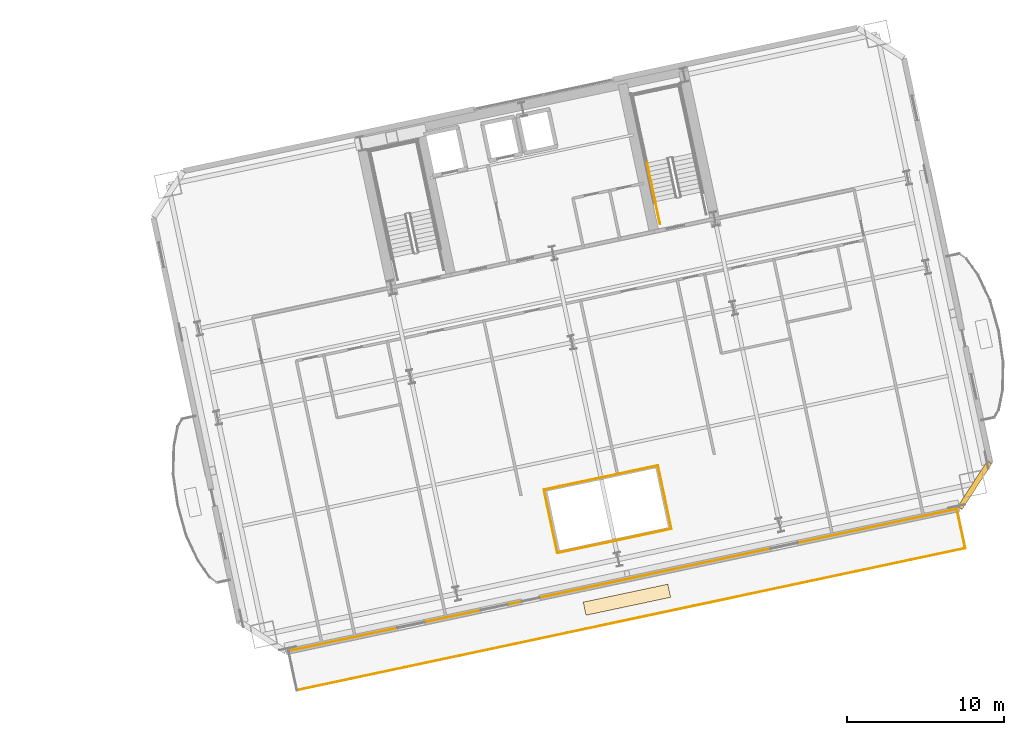
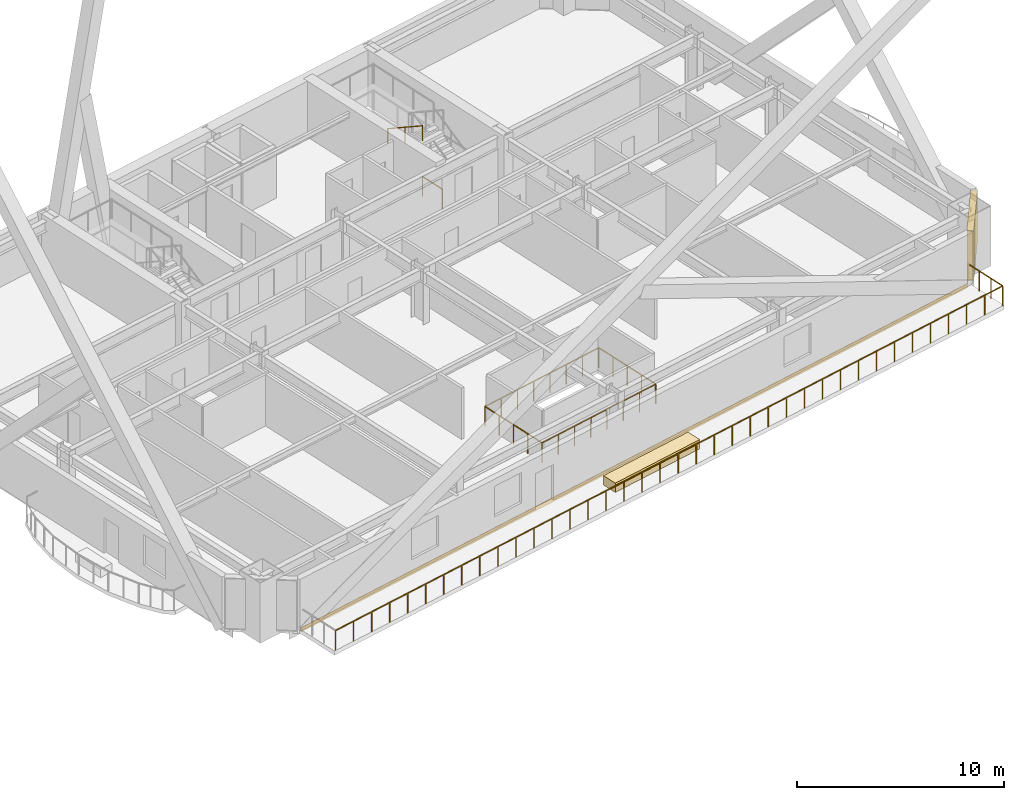
# One storey, part 22 of 25: 8 railings, 2 coverings, 1 shading device.
"""IFC4 building model written with IfcOpenShell, lengths in metres."""

import ifcopenshell
import ifcopenshell.guid

model = None  # the IFC model being written
_history = None  # IfcOwnerHistory: only IFC2X3 demands one
_inside = {}  # id of a spatial element -> (the spatial element, [elements in it])
_under = {}  # id of a project, library or spatial element -> (it, [spatial elements below it])
_declared = {}  # id of a project -> (the project, [libraries it declares])
_typed = {}  # id of a type object -> (the type object, [elements of that type])
_made_of = {}  # id of a material, layer set ... -> (it, [elements and type objects made of it])


def new_model(schema):
    """Start an empty IFC model of exactly this schema.

    Asked for "IFC4X3", IfcOpenShell would pick the latest addendum, in which some entities
    have other attributes; the version numbers below select the first issue.
    IFC2X3 requires an IfcOwnerHistory on every rooted entity: one is made here for all.
    """
    global model, _history
    if schema == "IFC4X3":
        model = ifcopenshell.file(schema_version=(4, 3, 0, 0))
    else:
        model = ifcopenshell.file(schema=schema)
    _inside.clear()
    _under.clear()
    _declared.clear()
    _typed.clear()
    _made_of.clear()
    _history = None
    if model.schema == "IFC2X3":
        org = make("IfcOrganization", Name="unknown")
        user = make(
            "IfcPersonAndOrganization",
            ThePerson=make("IfcPerson", FamilyName="unknown"),
            TheOrganization=org,
        )
        app = make(
            "IfcApplication",
            ApplicationDeveloper=org,
            Version="unknown",
            ApplicationFullName="unknown",
            ApplicationIdentifier="unknown",
        )
        _history = make(
            "IfcOwnerHistory",
            OwningUser=user,
            OwningApplication=app,
            ChangeAction="ADDED",
            CreationDate=0,
        )
    return model


def make(cls, **values):
    """One entity of the class cls with the attributes given. An attribute that is None is left unset."""
    return model.create_entity(
        cls, **{name: value for name, value in values.items() if value is not None}
    )


def rooted(cls, **values):
    """An entity with a GlobalId (a new one), such as an element, a storey or a relation."""
    return make(cls, GlobalId=ifcopenshell.guid.new(), OwnerHistory=_history, **values)


def si_unit(unit_type, name, prefix=None):
    """IfcSIUnit, for example si_unit("LENGTHUNIT", "METRE", prefix="MILLI")."""
    return make("IfcSIUnit", UnitType=unit_type, Prefix=prefix, Name=name)


def assignment(units):
    """IfcUnitAssignment: the units of a project."""
    return None if units is None else make("IfcUnitAssignment", Units=units)


def point(xyz):
    """IfcCartesianPoint."""
    return None if xyz is None else make("IfcCartesianPoint", Coordinates=xyz)


def direction(xyz):
    """IfcDirection."""
    return None if xyz is None else make("IfcDirection", DirectionRatios=xyz)


def frame(location, z_axis=None, x_axis=None):
    """IfcAxis2Placement3D, a coordinate frame: its origin and axes. An axis left out is left unset."""
    return make(
        "IfcAxis2Placement3D",
        Location=point(location),
        Axis=direction(z_axis),
        RefDirection=direction(x_axis),
    )


def frame_2d(location, x_axis=None):
    """IfcAxis2Placement2D, a coordinate frame in the plane: its origin and x axis."""
    return make(
        "IfcAxis2Placement2D", Location=point(location), RefDirection=direction(x_axis)
    )


def origin():
    """The frame at (0, 0, 0) with its axes left unset."""
    return frame((0.0, 0.0, 0.0))


def origin_2d():
    """The frame at (0, 0) in the plane with its x axis left unset."""
    return frame_2d((0.0, 0.0))


def place(relative_to, where):
    """IfcLocalPlacement: puts the frame where relative to a parent placement (None: the world)."""
    return make(
        "IfcLocalPlacement", PlacementRelTo=relative_to, RelativePlacement=where
    )


def context(
    kind, dimensions, precision=None, world=None, true_north=None, identifier=None
):
    """IfcGeometricRepresentationContext, for example the 3D "Model" context."""
    return make(
        "IfcGeometricRepresentationContext",
        ContextIdentifier=identifier,
        ContextType=kind,
        CoordinateSpaceDimension=dimensions,
        Precision=precision,
        WorldCoordinateSystem=world,
        TrueNorth=true_north,
    )


def subcontext(parent, identifier, kind, view, scale=None):
    """IfcGeometricRepresentationSubContext, for example "Body" below "Model"."""
    return make(
        "IfcGeometricRepresentationSubContext",
        ContextIdentifier=identifier,
        ContextType=kind,
        ParentContext=parent,
        TargetScale=scale,
        TargetView=view,
    )


def project(units=None, contexts=None):
    """IfcProject with its units and contexts."""
    return rooted(
        "IfcProject",
        Name="project",
        RepresentationContexts=contexts,
        UnitsInContext=assignment(units),
    )


def spatial(cls, under=None, at=None, **own):
    """A site, building, storey or space (cls), placed at a placement, below another one or the project."""
    s = rooted(cls, ObjectPlacement=at, **own)
    if under is not None:
        _under.setdefault(under.id(), (under, []))[1].append(s)
    return s


def profile(cls, at=None, kind="AREA", **sizes):
    """A parametric profile (cls). Its sizes go by their IFC names, for example OverallWidth=200.0."""
    return make(cls, ProfileType=kind, Position=at, **sizes)


def rectangle(**sizes):
    """IfcRectangleProfileDef."""
    return profile("IfcRectangleProfileDef", **sizes)


def extrude(swept, where, along, depth):
    """IfcExtrudedAreaSolid: the profile swept, set in the frame where, extruded along a direction by depth."""
    return make(
        "IfcExtrudedAreaSolid",
        SweptArea=swept,
        Position=where,
        ExtrudedDirection=direction(along),
        Depth=depth,
    )


def shape(context_of_items, identifier, shape_type, items):
    """IfcShapeRepresentation: the items that make up one representation, for example the "Body"."""
    return make(
        "IfcShapeRepresentation",
        ContextOfItems=context_of_items,
        RepresentationIdentifier=identifier,
        RepresentationType=shape_type,
        Items=items,
    )


def material(Name=None, Category=None):
    """IfcMaterial."""
    return make("IfcMaterial", Name=Name, Category=Category)


def layer(
    of_material, thickness, ventilated=None, Name=None, Category=None, Priority=None
):
    """IfcMaterialLayer: one layer of a wall or slab, of a material (None: an air gap)."""
    return make(
        "IfcMaterialLayer",
        Material=of_material,
        LayerThickness=thickness,
        IsVentilated=ventilated,
        Name=Name,
        Category=Category,
        Priority=Priority,
    )


def layer_set(layers, Name=None):
    """IfcMaterialLayerSet."""
    return make("IfcMaterialLayerSet", MaterialLayers=layers, LayerSetName=Name)


def made_of(thing, what):
    """Note that an element or type object is made of a material, layer set ...; save() writes the relation."""
    if what is not None:
        _made_of.setdefault(what.id(), (what, []))[1].append(thing)
    return thing


def type_object(cls, material=None, **own):
    """A type object (cls), such as IfcWallType, which elements share."""
    return made_of(rooted(cls, **own), material)


def element(
    cls,
    number,
    at=None,
    inside=None,
    cuts=None,
    type_object=None,
    material=None,
    context=None,
    identifier="Body",
    shape_type=None,
    held_by="IfcProductDefinitionShape",
    body=None,
    shapes=None,
    **own,
):
    """One element of the class cls, such as IfcWall. Its Tag is "e" and its number.

    at: its placement. inside: the storey or other place that contains it. cuts: it is an
    opening in that element (IfcRelVoidsElement). A single representation is given by context,
    identifier, shape_type and body (its items); several are given by shapes. held_by: the class
    of the entity that holds the representations. save() writes the other relations.
    """
    e = rooted(cls, Tag="e%d" % number, ObjectPlacement=at, **own)
    if body is not None:
        shapes = [shape(context, identifier, shape_type, body)]
    if shapes is not None:
        e.Representation = make(held_by, Representations=shapes)
    if inside is not None:
        _inside.setdefault(inside.id(), (inside, []))[1].append(e)
    if cuts is not None:
        rooted(
            "IfcRelVoidsElement", RelatingBuildingElement=cuts, RelatedOpeningElement=e
        )
    if type_object is not None:
        _typed.setdefault(type_object.id(), (type_object, []))[1].append(e)
    return made_of(e, material)


def aggregate(whole, parts):
    """IfcRelAggregates: a whole, such as a stair, and the parts it consists of."""
    return rooted("IfcRelAggregates", RelatingObject=whole, RelatedObjects=parts)


def save(model, path):
    """Write the relations noted so far, then the file.

    IfcRelAggregates (storeys below a building ...), IfcRelContainedInSpatialStructure (elements
    in a storey), IfcRelDefinesByType, IfcRelAssociatesMaterial and IfcRelDeclares: one each for
    every whole, place, type object, material and project.
    """
    for whole, parts in _under.values():
        aggregate(whole, parts)
    for where, things in _inside.values():
        rooted(
            "IfcRelContainedInSpatialStructure",
            RelatedElements=things,
            RelatingStructure=where,
        )
    for kind, things in _typed.values():
        rooted("IfcRelDefinesByType", RelatedObjects=things, RelatingType=kind)
    for what, things in _made_of.values():
        rooted("IfcRelAssociatesMaterial", RelatedObjects=things, RelatingMaterial=what)
    for by, libraries in _declared.values():
        rooted("IfcRelDeclares", RelatingContext=by, RelatedDefinitions=libraries)
    model.write(path)


model = new_model("IFC4")

# Units and contexts
model_context = context("Model", 3, precision=1e-05, world=origin(), true_north=direction((0.0, 1.0)))
body_context = subcontext(model_context, "Body", "Model", "MODEL_VIEW")
ifc_project = project(units=[si_unit("LENGTHUNIT", "METRE"), si_unit("AREAUNIT", "SQUARE_METRE"), si_unit("VOLUMEUNIT", "CUBIC_METRE"), si_unit("PLANEANGLEUNIT", "RADIAN"), si_unit("MASSUNIT", "GRAM", prefix="KILO")], contexts=[model_context])

# Site, building, storey
site_placement = place(None, origin())
site = spatial("IfcSite", under=ifc_project, at=site_placement, CompositionType="ELEMENT")
building_placement = place(site_placement, origin())
building = spatial("IfcBuilding", under=site, at=building_placement, Name="Haevon Station Towers", CompositionType="ELEMENT")
storey_placement = place(building_placement, frame((0.0, 0.0, 50.39990234375)))
storey = spatial("IfcBuildingStorey", under=building, at=storey_placement, Name="L12", CompositionType="ELEMENT", Elevation=50.39990234375)

# Railings
ifc_material_1 = material(Name="Steel S355", Category="steel")
railing_type_1 = type_object("IfcRailingType", Name="BAL-ATR1200", PredefinedType="BALUSTRADE", material=ifc_material_1)
railing_1_placement = place(storey_placement, frame((109.28857421875, 20.5556640625, 0.0)))
element("IfcRailing", 1, at=railing_1_placement, inside=storey, type_object=railing_type_1, Name="L12 Atrium Void Balustrade 1", PredefinedType="BALUSTRADE", context=body_context, shape_type="SweptSolid", body=[
    extrude(rectangle(XDim=0.048095703125, YDim=0.048095703125, at=origin_2d()), frame((0.0, 0.0, 1.17578125), z_axis=(0.978143440909, 0.207931260293, 0.0), x_axis=(-0.207931260293, 0.978143440909, 0.0)), (0.0, 0.0, 1.0), 7.409912109375),
    extrude(rectangle(XDim=0.0419921875, YDim=0.0419921875, at=origin_2d()), origin(), (0.0, 0.0, 1.0), 1.15185546875),
    extrude(rectangle(XDim=0.0419921875, YDim=0.0419921875, at=origin_2d()), frame((1.035400390625, 0.22021484375, 0.0)), (0.0, 0.0, 1.0), 1.15185546875),
    extrude(rectangle(XDim=0.0419921875, YDim=0.0419921875, at=origin_2d()), frame((2.07080078125, 0.440185546875, 0.0)), (0.0, 0.0, 1.0), 1.15185546875),
    extrude(rectangle(XDim=0.0419921875, YDim=0.0419921875, at=origin_2d()), frame((3.106201171875, 0.660400390625, 0.0)), (0.0, 0.0, 1.0), 1.15185546875),
    extrude(rectangle(XDim=0.0419921875, YDim=0.0419921875, at=origin_2d()), frame((4.141845703125, 0.88037109375, 0.0)), (0.0, 0.0, 1.0), 1.15185546875),
    extrude(rectangle(XDim=0.0419921875, YDim=0.0419921875, at=origin_2d()), frame((5.17724609375, 1.1005859375, 0.0)), (0.0, 0.0, 1.0), 1.15185546875),
    extrude(rectangle(XDim=0.0419921875, YDim=0.0419921875, at=origin_2d()), frame((6.212646484375, 1.320556640625, 0.0)), (0.0, 0.0, 1.0), 1.15185546875),
    extrude(rectangle(XDim=0.0419921875, YDim=0.0419921875, at=origin_2d()), frame((7.248046875, 1.540771484375, 0.0)), (0.0, 0.0, 1.0), 1.15185546875),
])
railing_2_placement = place(storey_placement, frame((116.53662109375, 22.096435546875, 0.0)))
element("IfcRailing", 2, at=railing_2_placement, inside=storey, type_object=railing_type_1, Name="L12 Atrium Void Balustrade 2", PredefinedType="BALUSTRADE", context=body_context, shape_type="SweptSolid", body=[
    extrude(rectangle(XDim=0.048095703125, YDim=0.048095703125, at=origin_2d()), frame((0.0, 0.0, 1.17578125), z_axis=(-0.207941039024, 0.97814136212, 0.0), x_axis=(-0.97814136212, -0.207941039024, 0.0)), (0.0, 0.0, 1.0), 4.116455078125),
    extrude(rectangle(XDim=0.0419921875, YDim=0.0419921875, at=origin_2d()), origin(), (0.0, 0.0, 1.0), 1.15185546875),
    extrude(rectangle(XDim=0.0419921875, YDim=0.0419921875, at=origin_2d()), frame((-0.2138671875, 1.006591796875, 0.0)), (0.0, 0.0, 1.0), 1.15185546875),
    extrude(rectangle(XDim=0.0419921875, YDim=0.0419921875, at=origin_2d()), frame((-0.427978515625, 2.01318359375, 0.0)), (0.0, 0.0, 1.0), 1.15185546875),
    extrude(rectangle(XDim=0.0419921875, YDim=0.0419921875, at=origin_2d()), frame((-0.64208984375, 3.019775390625, 0.0)), (0.0, 0.0, 1.0), 1.15185546875),
    extrude(rectangle(XDim=0.0419921875, YDim=0.0419921875, at=origin_2d()), frame((-0.85595703125, 4.0263671875, 0.0)), (0.0, 0.0, 1.0), 1.15185546875),
])
railing_3_placement = place(storey_placement, frame((115.6806640625, 26.122802734375, 0.0)))
element("IfcRailing", 3, at=railing_3_placement, inside=storey, type_object=railing_type_1, Name="L12 Atrium Void Balustrade 3", PredefinedType="BALUSTRADE", context=body_context, shape_type="SweptSolid", body=[
    extrude(rectangle(XDim=0.048095703125, YDim=0.048095703125, at=origin_2d()), frame((0.0, 0.0, 1.17578125), z_axis=(-0.978148717371, -0.207906437384, 0.0), x_axis=(0.207906437384, -0.978148717371, 0.0)), (0.0, 0.0, 1.0), 7.40966796875),
    extrude(rectangle(XDim=0.0419921875, YDim=0.0419921875, at=origin_2d()), origin(), (0.0, 0.0, 1.0), 1.15185546875),
    extrude(rectangle(XDim=0.0419921875, YDim=0.0419921875, at=origin_2d()), frame((-1.035400390625, -0.219970703125, 0.0)), (0.0, 0.0, 1.0), 1.15185546875),
    extrude(rectangle(XDim=0.0419921875, YDim=0.0419921875, at=origin_2d()), frame((-2.07080078125, -0.440185546875, 0.0)), (0.0, 0.0, 1.0), 1.15185546875),
    extrude(rectangle(XDim=0.0419921875, YDim=0.0419921875, at=origin_2d()), frame((-3.106201171875, -0.66015625, 0.0)), (0.0, 0.0, 1.0), 1.15185546875),
    extrude(rectangle(XDim=0.0419921875, YDim=0.0419921875, at=origin_2d()), frame((-4.1416015625, -0.88037109375, 0.0)), (0.0, 0.0, 1.0), 1.15185546875),
    extrude(rectangle(XDim=0.0419921875, YDim=0.0419921875, at=origin_2d()), frame((-5.177001953125, -1.100341796875, 0.0)), (0.0, 0.0, 1.0), 1.15185546875),
    extrude(rectangle(XDim=0.0419921875, YDim=0.0419921875, at=origin_2d()), frame((-6.21240234375, -1.320556640625, 0.0)), (0.0, 0.0, 1.0), 1.15185546875),
    extrude(rectangle(XDim=0.0419921875, YDim=0.0419921875, at=origin_2d()), frame((-7.247802734375, -1.54052734375, 0.0)), (0.0, 0.0, 1.0), 1.15185546875),
])
railing_4_placement = place(storey_placement, frame((108.432861328125, 24.582275390625, 0.0)))
element("IfcRailing", 4, at=railing_4_placement, inside=storey, type_object=railing_type_1, Name="L12 Atrium Void Balustrade 4", PredefinedType="BALUSTRADE", context=body_context, shape_type="SweptSolid", body=[
    extrude(rectangle(XDim=0.048095703125, YDim=0.048095703125, at=origin_2d()), frame((0.0, 0.0, 1.17578125), z_axis=(0.207872232727, -0.978155986978, 0.0), x_axis=(0.978155986978, 0.207872232727, 0.0)), (0.0, 0.0, 1.0), 4.116455078125),
    extrude(rectangle(XDim=0.0419921875, YDim=0.0419921875, at=origin_2d()), origin(), (0.0, 0.0, 1.0), 1.15185546875),
    extrude(rectangle(XDim=0.0419921875, YDim=0.0419921875, at=origin_2d()), frame((0.2138671875, -1.006591796875, 0.0)), (0.0, 0.0, 1.0), 1.15185546875),
    extrude(rectangle(XDim=0.0419921875, YDim=0.0419921875, at=origin_2d()), frame((0.427734375, -2.01318359375, 0.0)), (0.0, 0.0, 1.0), 1.15185546875),
    extrude(rectangle(XDim=0.0419921875, YDim=0.0419921875, at=origin_2d()), frame((0.641845703125, -3.02001953125, 0.0)), (0.0, 0.0, 1.0), 1.15185546875),
    extrude(rectangle(XDim=0.0419921875, YDim=0.0419921875, at=origin_2d()), frame((0.855712890625, -4.026611328125, 0.0)), (0.0, 0.0, 1.0), 1.15185546875),
])

# Covering
ifc_material_2 = material(Name="Anodised aluminium 6063-T6", Category="aluminium")
ifc_layer_1 = layer(ifc_material_2, 0.0400390625)
ifc_layer_set_1 = layer_set([ifc_layer_1], Name="Anodised aluminium 6063-T6")
covering_type_1 = type_object("IfcCoveringType", Name="COV-CLAD40", PredefinedType="CLADDING", material=ifc_layer_set_1)
covering_1_placement = place(storey_placement, frame((113.44091796875, 18.83984375, -0.23974609375), z_axis=(0.0, 0.0, 1.0), x_axis=(0.978147600734, 0.207911690818, 0.0)))
element("IfcCovering", 5, at=covering_1_placement, inside=storey, type_object=covering_type_1, Name="Tower 2 L12 Spandrel Fascia Cladding", PredefinedType="CLADDING", context=body_context, shape_type="SweptSolid", body=[
    extrude(rectangle(XDim=43.39990234375, YDim=0.0400390625, at=origin_2d()), origin(), (0.0, 0.0, 1.0), 0.239990234375),
])

# Railings
railing_type_2 = type_object("IfcRailingType", Name="GRD-EXT1200", PredefinedType="GUARDRAIL", material=ifc_material_1)
railing_5_placement = place(storey_placement, frame((92.724609375, 11.834228515625, 0.0)))
element("IfcRailing", 6, at=railing_5_placement, inside=storey, type_object=railing_type_2, Name="L12 Perimeter Guardrail 1", PredefinedType="GUARDRAIL", context=body_context, shape_type="SweptSolid", body=[
    extrude(rectangle(XDim=0.048095703125, YDim=0.048095703125, at=origin_2d()), frame((0.0, 0.0, 1.17578125), z_axis=(0.978147822717, 0.207910646466, 0.0), x_axis=(-0.207910646466, 0.978147822717, 0.0)), (0.0, 0.0, 1.0), 43.4404296875),
    extrude(rectangle(XDim=0.0419921875, YDim=0.0419921875, at=origin_2d()), origin(), (0.0, 0.0, 1.0), 1.15185546875),
    extrude(rectangle(XDim=0.0419921875, YDim=0.0419921875, at=origin_2d()), frame((1.1484375, 0.244140625, 0.0)), (0.0, 0.0, 1.0), 1.15185546875),
    extrude(rectangle(XDim=0.0419921875, YDim=0.0419921875, at=origin_2d()), frame((2.296875, 0.48828125, 0.0)), (0.0, 0.0, 1.0), 1.15185546875),
    extrude(rectangle(XDim=0.0419921875, YDim=0.0419921875, at=origin_2d()), frame((3.4453125, 0.732421875, 0.0)), (0.0, 0.0, 1.0), 1.15185546875),
    extrude(rectangle(XDim=0.0419921875, YDim=0.0419921875, at=origin_2d()), frame((4.59375, 0.976318359375, 0.0)), (0.0, 0.0, 1.0), 1.15185546875),
    extrude(rectangle(XDim=0.0419921875, YDim=0.0419921875, at=origin_2d()), frame((5.741943359375, 1.220458984375, 0.0)), (0.0, 0.0, 1.0), 1.15185546875),
    extrude(rectangle(XDim=0.0419921875, YDim=0.0419921875, at=origin_2d()), frame((6.890380859375, 1.464599609375, 0.0)), (0.0, 0.0, 1.0), 1.15185546875),
    extrude(rectangle(XDim=0.0419921875, YDim=0.0419921875, at=origin_2d()), frame((8.038818359375, 1.708740234375, 0.0)), (0.0, 0.0, 1.0), 1.15185546875),
    extrude(rectangle(XDim=0.0419921875, YDim=0.0419921875, at=origin_2d()), frame((9.187255859375, 1.952880859375, 0.0)), (0.0, 0.0, 1.0), 1.15185546875),
    extrude(rectangle(XDim=0.0419921875, YDim=0.0419921875, at=origin_2d()), frame((10.335693359375, 2.197021484375, 0.0)), (0.0, 0.0, 1.0), 1.15185546875),
    extrude(rectangle(XDim=0.0419921875, YDim=0.0419921875, at=origin_2d()), frame((11.484130859375, 2.44091796875, 0.0)), (0.0, 0.0, 1.0), 1.15185546875),
    extrude(rectangle(XDim=0.0419921875, YDim=0.0419921875, at=origin_2d()), frame((12.632568359375, 2.68505859375, 0.0)), (0.0, 0.0, 1.0), 1.15185546875),
    extrude(rectangle(XDim=0.0419921875, YDim=0.0419921875, at=origin_2d()), frame((13.781005859375, 2.92919921875, 0.0)), (0.0, 0.0, 1.0), 1.15185546875),
    extrude(rectangle(XDim=0.0419921875, YDim=0.0419921875, at=origin_2d()), frame((14.929443359375, 3.17333984375, 0.0)), (0.0, 0.0, 1.0), 1.15185546875),
    extrude(rectangle(XDim=0.0419921875, YDim=0.0419921875, at=origin_2d()), frame((16.07763671875, 3.41748046875, 0.0)), (0.0, 0.0, 1.0), 1.15185546875),
    extrude(rectangle(XDim=0.0419921875, YDim=0.0419921875, at=origin_2d()), frame((17.22607421875, 3.66162109375, 0.0)), (0.0, 0.0, 1.0), 1.15185546875),
    extrude(rectangle(XDim=0.0419921875, YDim=0.0419921875, at=origin_2d()), frame((18.37451171875, 3.905517578125, 0.0)), (0.0, 0.0, 1.0), 1.15185546875),
    extrude(rectangle(XDim=0.0419921875, YDim=0.0419921875, at=origin_2d()), frame((19.52294921875, 4.149658203125, 0.0)), (0.0, 0.0, 1.0), 1.15185546875),
    extrude(rectangle(XDim=0.0419921875, YDim=0.0419921875, at=origin_2d()), frame((20.67138671875, 4.393798828125, 0.0)), (0.0, 0.0, 1.0), 1.15185546875),
    extrude(rectangle(XDim=0.0419921875, YDim=0.0419921875, at=origin_2d()), frame((21.81982421875, 4.637939453125, 0.0)), (0.0, 0.0, 1.0), 1.15185546875),
    extrude(rectangle(XDim=0.0419921875, YDim=0.0419921875, at=origin_2d()), frame((22.96826171875, 4.882080078125, 0.0)), (0.0, 0.0, 1.0), 1.15185546875),
    extrude(rectangle(XDim=0.0419921875, YDim=0.0419921875, at=origin_2d()), frame((24.11669921875, 5.126220703125, 0.0)), (0.0, 0.0, 1.0), 1.15185546875),
    extrude(rectangle(XDim=0.0419921875, YDim=0.0419921875, at=origin_2d()), frame((25.26513671875, 5.3701171875, 0.0)), (0.0, 0.0, 1.0), 1.15185546875),
    extrude(rectangle(XDim=0.0419921875, YDim=0.0419921875, at=origin_2d()), frame((26.41357421875, 5.6142578125, 0.0)), (0.0, 0.0, 1.0), 1.15185546875),
    extrude(rectangle(XDim=0.0419921875, YDim=0.0419921875, at=origin_2d()), frame((27.561767578125, 5.8583984375, 0.0)), (0.0, 0.0, 1.0), 1.15185546875),
    extrude(rectangle(XDim=0.0419921875, YDim=0.0419921875, at=origin_2d()), frame((28.710205078125, 6.1025390625, 0.0)), (0.0, 0.0, 1.0), 1.15185546875),
    extrude(rectangle(XDim=0.0419921875, YDim=0.0419921875, at=origin_2d()), frame((29.858642578125, 6.3466796875, 0.0)), (0.0, 0.0, 1.0), 1.15185546875),
    extrude(rectangle(XDim=0.0419921875, YDim=0.0419921875, at=origin_2d()), frame((31.007080078125, 6.5908203125, 0.0)), (0.0, 0.0, 1.0), 1.15185546875),
    extrude(rectangle(XDim=0.0419921875, YDim=0.0419921875, at=origin_2d()), frame((32.155517578125, 6.834716796875, 0.0)), (0.0, 0.0, 1.0), 1.15185546875),
    extrude(rectangle(XDim=0.0419921875, YDim=0.0419921875, at=origin_2d()), frame((33.303955078125, 7.078857421875, 0.0)), (0.0, 0.0, 1.0), 1.15185546875),
    extrude(rectangle(XDim=0.0419921875, YDim=0.0419921875, at=origin_2d()), frame((34.452392578125, 7.322998046875, 0.0)), (0.0, 0.0, 1.0), 1.15185546875),
    extrude(rectangle(XDim=0.0419921875, YDim=0.0419921875, at=origin_2d()), frame((35.600830078125, 7.567138671875, 0.0)), (0.0, 0.0, 1.0), 1.15185546875),
    extrude(rectangle(XDim=0.0419921875, YDim=0.0419921875, at=origin_2d()), frame((36.749267578125, 7.811279296875, 0.0)), (0.0, 0.0, 1.0), 1.15185546875),
    extrude(rectangle(XDim=0.0419921875, YDim=0.0419921875, at=origin_2d()), frame((37.8974609375, 8.055419921875, 0.0)), (0.0, 0.0, 1.0), 1.15185546875),
    extrude(rectangle(XDim=0.0419921875, YDim=0.0419921875, at=origin_2d()), frame((39.0458984375, 8.29931640625, 0.0)), (0.0, 0.0, 1.0), 1.15185546875),
    extrude(rectangle(XDim=0.0419921875, YDim=0.0419921875, at=origin_2d()), frame((40.1943359375, 8.54345703125, 0.0)), (0.0, 0.0, 1.0), 1.15185546875),
    extrude(rectangle(XDim=0.0419921875, YDim=0.0419921875, at=origin_2d()), frame((41.3427734375, 8.78759765625, 0.0)), (0.0, 0.0, 1.0), 1.15185546875),
    extrude(rectangle(XDim=0.0419921875, YDim=0.0419921875, at=origin_2d()), frame((42.4912109375, 9.03173828125, 0.0)), (0.0, 0.0, 1.0), 1.15185546875),
])
railing_6_placement = place(storey_placement, frame((135.2158203125, 20.865966796875, 0.0)))
element("IfcRailing", 7, at=railing_6_placement, inside=storey, type_object=railing_type_2, Name="L12 Perimeter Guardrail 2", PredefinedType="GUARDRAIL", context=body_context, shape_type="SweptSolid", body=[
    extrude(rectangle(XDim=0.048095703125, YDim=0.048095703125, at=origin_2d()), frame((0.0, 0.0, 1.17578125), z_axis=(-0.20797045324, 0.97813510855, 0.0), x_axis=(-0.97813510855, -0.20797045324, 0.0)), (0.0, 0.0, 1.0), 2.53564453125),
    extrude(rectangle(XDim=0.0419921875, YDim=0.0419921875, at=origin_2d()), origin(), (0.0, 0.0, 1.0), 1.15185546875),
    extrude(rectangle(XDim=0.0419921875, YDim=0.0419921875, at=origin_2d()), frame((-0.17578125, 0.82666015625, 0.0)), (0.0, 0.0, 1.0), 1.15185546875),
    extrude(rectangle(XDim=0.0419921875, YDim=0.0419921875, at=origin_2d()), frame((-0.3515625, 1.653564453125, 0.0)), (0.0, 0.0, 1.0), 1.15185546875),
    extrude(rectangle(XDim=0.0419921875, YDim=0.0419921875, at=origin_2d()), frame((-0.52734375, 2.480224609375, 0.0)), (0.0, 0.0, 1.0), 1.15185546875),
])
railing_type_3 = type_object("IfcRailingType", Name="GRD-STR1200", PredefinedType="GUARDRAIL", material=ifc_material_1)
railing_7_placement = place(storey_placement, frame((115.816162109375, 41.478271484375, 0.0)))
element("IfcRailing", 8, at=railing_7_placement, inside=storey, type_object=railing_type_3, Name="L12 ST4 Stair Guard 9", PredefinedType="GUARDRAIL", context=body_context, shape_type="SweptSolid", body=[
    extrude(rectangle(XDim=0.048095703125, YDim=0.048095703125, at=origin_2d()), frame((0.0, 0.0, 1.17578125), z_axis=(-0.207919161079, 0.978146012851, 0.0), x_axis=(-0.978146012851, -0.207919161079, 0.0)), (0.0, 0.0, 1.0), 1.4501953125),
    extrude(rectangle(XDim=0.0419921875, YDim=0.0419921875, at=origin_2d()), origin(), (0.0, 0.0, 1.0), 1.15185546875),
    extrude(rectangle(XDim=0.0419921875, YDim=0.0419921875, at=origin_2d()), frame((-0.301513671875, 1.41845703125, 0.0)), (0.0, 0.0, 1.0), 1.15185546875),
])
railing_type_4 = type_object("IfcRailingType", Name="HND-STR900", PredefinedType="HANDRAIL", material=ifc_material_1)
railing_8_placement = place(storey_placement, frame((114.99072265625, 45.361572265625, 1.815185546875)))
element("IfcRailing", 9, at=railing_8_placement, inside=storey, type_object=railing_type_4, Name="L12 ST4 Stair Handrail 2", PredefinedType="HANDRAIL", context=body_context, shape_type="SweptSolid", body=[
    extrude(rectangle(XDim=0.048095703125, YDim=0.048095703125, at=origin_2d()), frame((0.0, 0.0, 0.8759765625), z_axis=(0.179128856099, -0.842723639875, 0.507670877349), x_axis=(0.978147030254, 0.207914374695, 0.0)), (0.0, 0.0, 1.0), 2.9248046875),
    extrude(rectangle(XDim=0.0419921875, YDim=0.0419921875, at=origin_2d()), origin(), (0.0, 0.0, 1.0), 0.851806640625),
    extrude(rectangle(XDim=0.0419921875, YDim=0.0419921875, at=origin_2d()), frame((0.261962890625, -1.232421875, 0.742431640625)), (0.0, 0.0, 1.0), 0.851806640625),
    extrude(rectangle(XDim=0.0419921875, YDim=0.0419921875, at=origin_2d()), frame((0.52392578125, -2.46484375, 1.48486328125)), (0.0, 0.0, 1.0), 0.851806640625),
])

# Covering
ifc_material_3 = material(Name="Architectural planter GRC", Category="concrete")
ifc_layer_2 = layer(ifc_material_3, 0.550048828125)
ifc_layer_set_2 = layer_set([ifc_layer_2], Name="Architectural planter GRC")
covering_type_2 = type_object("IfcCoveringType", Name="PLN-GRC550", PredefinedType="MOLDING", material=ifc_layer_set_2)
covering_2_placement = place(storey_placement, frame((113.70654296875, 17.59033203125, 0.0), z_axis=(0.0, 0.0, 1.0), x_axis=(0.978147600734, 0.207911690818, 0.0)))
element("IfcCovering", 10, at=covering_2_placement, inside=storey, type_object=covering_type_2, Name="Tower 2 L12 Sky-Garden GRC PLANTER", PredefinedType="MOLDING", context=body_context, shape_type="SweptSolid", body=[
    extrude(rectangle(XDim=5.5, YDim=0.85009765625, at=origin_2d()), origin(), (0.0, 0.0, 1.0), 0.550048828125),
])

# Shading device
ifc_layer_3 = layer(ifc_material_2, 0.139892578125)
ifc_layer_set_3 = layer_set([ifc_layer_3], Name="Anodised aluminium 6063-T6")
shading_device_type = type_object("IfcShadingDeviceType", Name="SHD-WIND-BAFFLE", PredefinedType="SHUTTER", material=ifc_layer_set_3)
shading_device_placement = place(storey_placement, frame((135.8251953125, 24.875732421875, 0.05029296875), z_axis=(0.0, 0.0, 1.0), x_axis=(-0.544638910449, -0.838670648839, 0.0)))
element("IfcShadingDevice", 11, at=shading_device_placement, inside=storey, type_object=shading_device_type, Name="Tower 2 L12 Wind-Corner Aerofoil Baffle SEC", PredefinedType="SHUTTER", context=body_context, shape_type="SweptSolid", body=[
    extrude(rectangle(XDim=3.435546875, YDim=0.340087890625, at=origin_2d()), origin(), (0.0, 0.0, 1.0), 2.929931640625),
])

save(model, "model.ifc")
